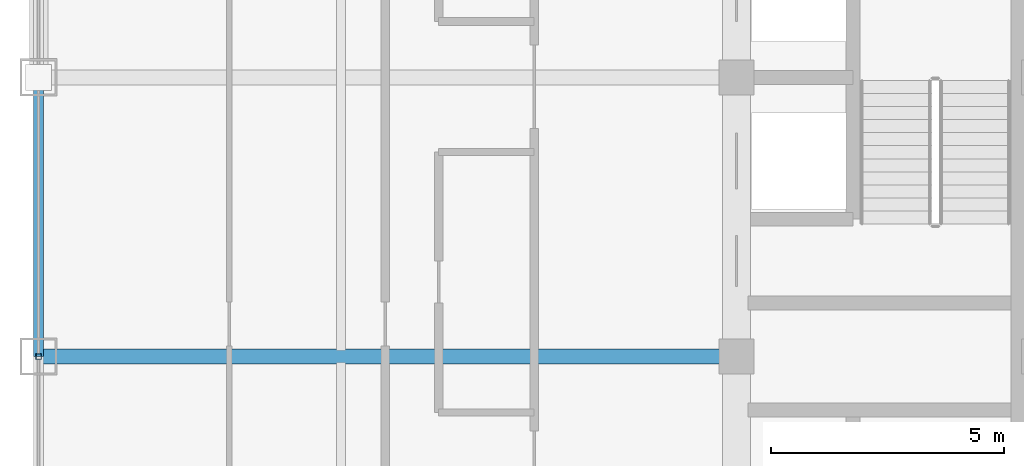
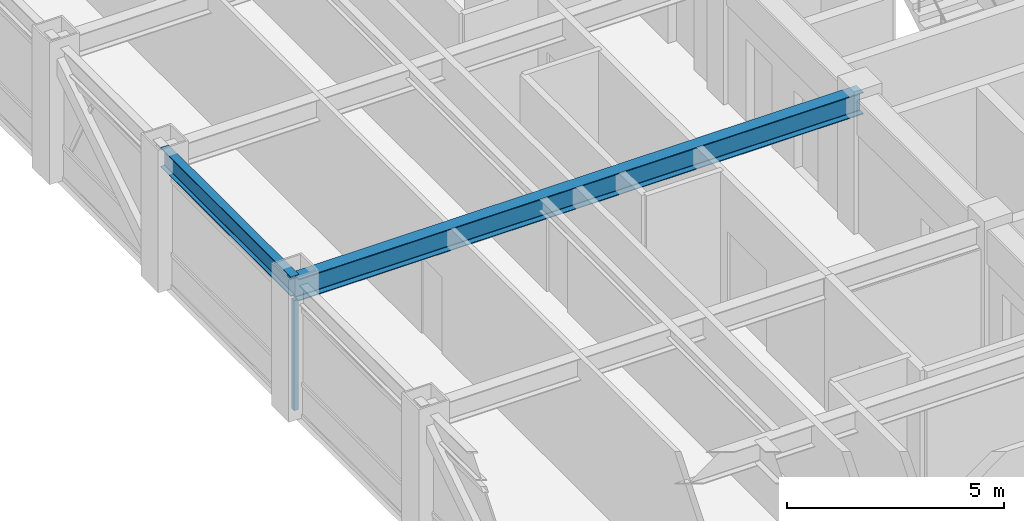
# One storey, part 6 of 28: 2 beams, 1 member, 1 element without a shape of its own.
"""IFC4 building model written with IfcOpenShell, lengths in metres."""

from ifc_helpers import new_model, si_unit, direction, frame, origin, origin_2d, place, context, subcontext, project, spatial, hollow_rectangle, i_section, extrude, source, transform, mapped, material, material_profile, profile_set, type_object, element, aggregate, save


model = new_model("IFC4")

# Units and contexts
model_context = context("Model", 3, precision=1e-05, world=origin(), true_north=direction((0.0, 1.0)))
body_context = subcontext(model_context, "Body", "Model", "MODEL_VIEW")
ifc_project = project(units=[si_unit("LENGTHUNIT", "METRE"), si_unit("AREAUNIT", "SQUARE_METRE"), si_unit("VOLUMEUNIT", "CUBIC_METRE"), si_unit("PLANEANGLEUNIT", "RADIAN"), si_unit("MASSUNIT", "GRAM", prefix="KILO")], contexts=[model_context])

# Site, building, storey
site_placement = place(None, origin())
site = spatial("IfcSite", under=ifc_project, at=site_placement, CompositionType="ELEMENT")
building_placement = place(site_placement, origin())
building = spatial("IfcBuilding", under=site, at=building_placement, Name="Khorayat Bourse Tower", CompositionType="ELEMENT")
storey_placement = place(building_placement, frame((0.0, 0.0, 334.300048828125)))
storey = spatial("IfcBuildingStorey", under=building, at=storey_placement, Name="L79", CompositionType="ELEMENT", Elevation=334.300048828125)

# Beams
ifc_material_1 = material(Name="Steel ASTM A992 Grade 50", Category="steel")
ifc_material_profile_1 = material_profile(ifc_material_1, i_section(OverallWidth=0.214111328125, OverallDepth=0.549072265625, WebThickness=0.0146484375, FlangeThickness=0.023681640625, FilletRadius=0.013916015625, at=origin_2d()), Name="W530X138")
ifc_profile_set_1 = profile_set([ifc_material_profile_1], Name="Steel ASTM A992 Grade 50")
beam_type_1 = type_object("IfcBeamType", Name="BM-SPAN-530", PredefinedType="SPANDREL", material=ifc_profile_set_1)
shared_shape_1 = source(origin(), body_context, "Body", "SweptSolid", [
    extrude(i_section(OverallWidth=0.214111328125, OverallDepth=0.549072265625, WebThickness=0.0146484375, FlangeThickness=0.023681640625, FilletRadius=0.013916015625, at=origin_2d()), origin(), (0.0, 0.0, 1.0), 6.0),
])
beam_1_placement = place(storey_placement, frame((-26.0, 0.0, 3.46533203125), z_axis=(0.0, 1.0, 0.0), x_axis=(-1.0, 0.0, 0.0)))
element("IfcBeam", 1, at=beam_1_placement, inside=storey, type_object=beam_type_1, Name="L79 BM-SPAN-530 BM-L79-SPN-050", PredefinedType="SPANDREL", context=body_context, shape_type="MappedRepresentation", body=[
    mapped(shared_shape_1, transform((0.0, 0.0, 0.0), scale=1.0)),
])
ifc_material_profile_2 = material_profile(ifc_material_1, i_section(OverallWidth=0.324951171875, OverallDepth=0.615966796875, WebThickness=0.013916015625, FlangeThickness=0.021484375, FilletRadius=0.01611328125, at=origin_2d()), Name="W610X174")
ifc_profile_set_2 = profile_set([ifc_material_profile_2], Name="Steel ASTM A992 Grade 50")
beam_type_2 = type_object("IfcBeamType", Name="BM-GIRD-610", PredefinedType="BEAM", material=ifc_profile_set_2)
shared_shape_2 = source(origin(), body_context, "Body", "SweptSolid", [
    extrude(i_section(OverallWidth=0.324951171875, OverallDepth=0.615966796875, WebThickness=0.013916015625, FlangeThickness=0.021484375, FilletRadius=0.01611328125, at=origin_2d()), origin(), (0.0, 0.0, 1.0), 15.0),
])
beam_2_placement = place(storey_placement, frame((-26.0, 0.0, 3.431884765625), z_axis=(1.0, 0.0, 0.0), x_axis=(0.0, 1.0, 0.0)))
element("IfcBeam", 2, at=beam_2_placement, inside=storey, type_object=beam_type_2, Name="L79 BM-GIRD-610 BM-L79-RADX-071", PredefinedType="BEAM", context=body_context, shape_type="MappedRepresentation", body=[
    mapped(shared_shape_2, transform((0.0, 0.0, 0.0), scale=1.0)),
])

# Curtain wall, member
ifc_material_2 = material(Name="Aluminium EN AW-6063 T6", Category="aluminium")
curtain_wall_type = type_object("IfcCurtainWallType", Name="CW-SYS-04", PredefinedType="NOTDEFINED", material=ifc_material_2)
curtain_wall_placement = place(storey_placement, origin())
curtain_wall = element("IfcCurtainWall", 3, at=curtain_wall_placement, inside=storey, type_object=curtain_wall_type, Name="L79 Curtain Wall CW-L79-W1", PredefinedType="NOTDEFINED")
ifc_material_profile_3 = material_profile(ifc_material_2, hollow_rectangle(XDim=0.1201171875, YDim=0.1201171875, WallThickness=0.0048828125, at=origin_2d()), Name="ALU 120x120x5")
ifc_profile_set_3 = profile_set([ifc_material_profile_3], Name="Aluminium EN AW-6063 T6")
member_type = type_object("IfcMemberType", Name="CWM-VERT-120", PredefinedType="MULLION", material=ifc_profile_set_3)
shared_shape_3 = source(origin(), body_context, "Body", "SweptSolid", [
    extrude(hollow_rectangle(XDim=0.1201171875, YDim=0.1201171875, WallThickness=0.0048828125, at=origin_2d()), origin(), (0.0, 0.0, 1.0), 3.08984375),
])
member_placement = place(storey_placement, frame((-26.0, 0.0, 0.0), z_axis=(0.0, 0.0, 1.0), x_axis=(-1.0, 0.0, 0.0)))
member = element("IfcMember", 4, at=member_placement, type_object=member_type, Name="CW-L79-W1 Vertical Mullion 2", PredefinedType="MULLION", context=body_context, shape_type="MappedRepresentation", body=[
    mapped(shared_shape_3, transform((0.0, 0.0, 0.0), scale=1.0)),
])
aggregate(curtain_wall, [member])

save(model, "model.ifc")
